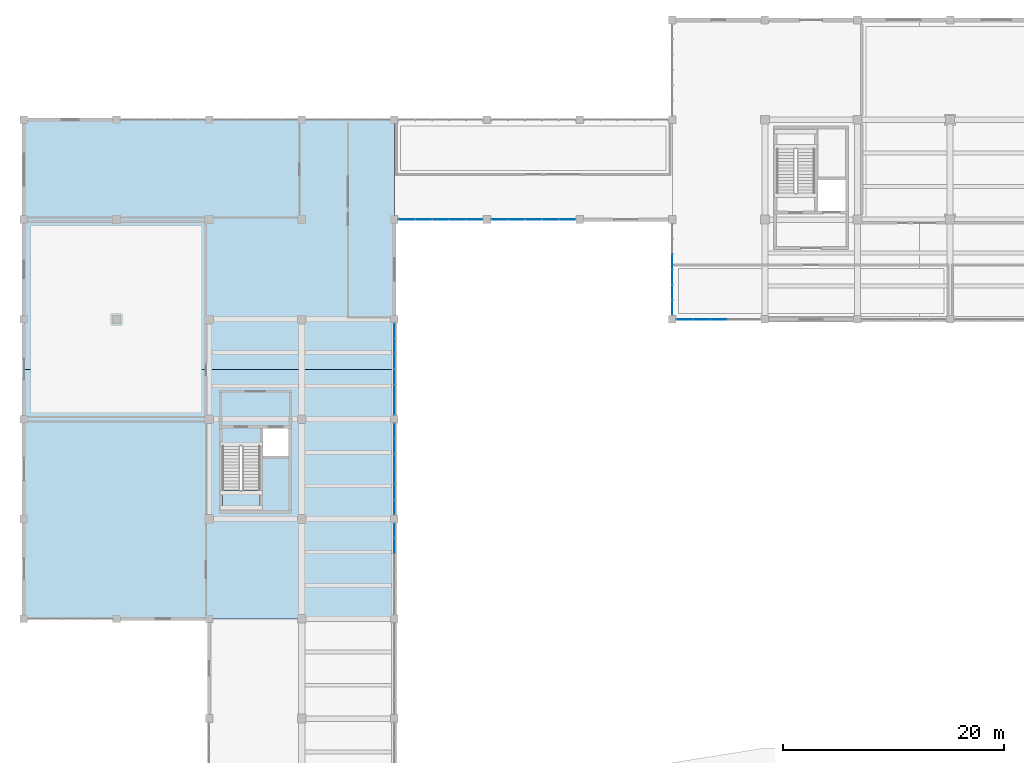
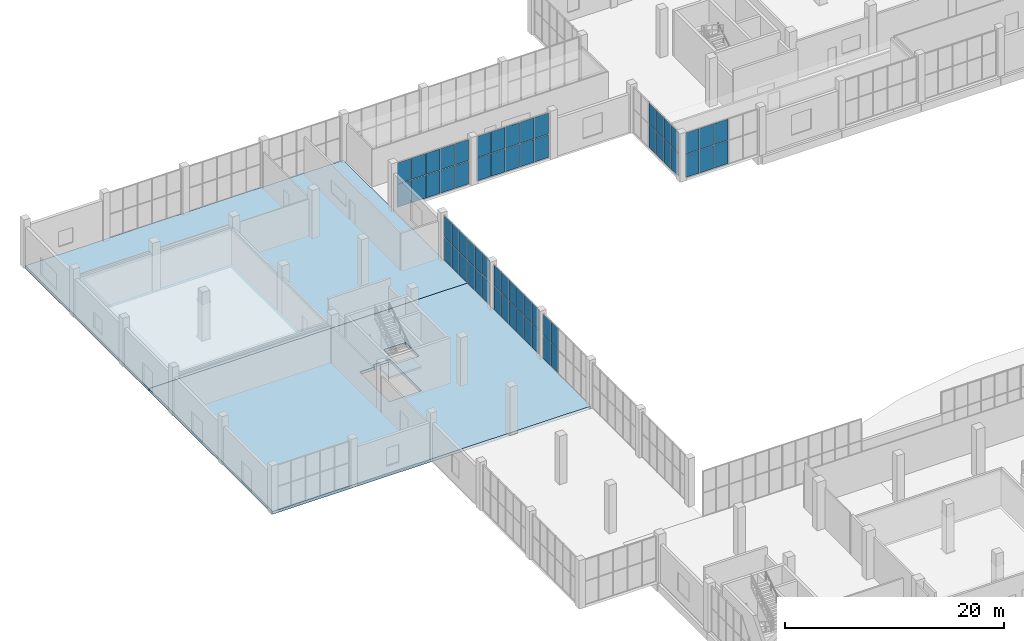
# One storey, part 67 of 91: 62 plates, 3 slabs, 8 elements without a shape of their own.
"""IFC4 building model written with IfcOpenShell, lengths in metres."""

import ifcopenshell
import ifcopenshell.guid

model = None  # the IFC model being written
_history = None  # IfcOwnerHistory: only IFC2X3 demands one
_inside = {}  # id of a spatial element -> (the spatial element, [elements in it])
_under = {}  # id of a project, library or spatial element -> (it, [spatial elements below it])
_declared = {}  # id of a project -> (the project, [libraries it declares])
_typed = {}  # id of a type object -> (the type object, [elements of that type])
_made_of = {}  # id of a material, layer set ... -> (it, [elements and type objects made of it])


def new_model(schema):
    """Start an empty IFC model of exactly this schema.

    Asked for "IFC4X3", IfcOpenShell would pick the latest addendum, in which some entities
    have other attributes; the version numbers below select the first issue.
    IFC2X3 requires an IfcOwnerHistory on every rooted entity: one is made here for all.
    """
    global model, _history
    if schema == "IFC4X3":
        model = ifcopenshell.file(schema_version=(4, 3, 0, 0))
    else:
        model = ifcopenshell.file(schema=schema)
    _inside.clear()
    _under.clear()
    _declared.clear()
    _typed.clear()
    _made_of.clear()
    _history = None
    if model.schema == "IFC2X3":
        org = make("IfcOrganization", Name="unknown")
        user = make(
            "IfcPersonAndOrganization",
            ThePerson=make("IfcPerson", FamilyName="unknown"),
            TheOrganization=org,
        )
        app = make(
            "IfcApplication",
            ApplicationDeveloper=org,
            Version="unknown",
            ApplicationFullName="unknown",
            ApplicationIdentifier="unknown",
        )
        _history = make(
            "IfcOwnerHistory",
            OwningUser=user,
            OwningApplication=app,
            ChangeAction="ADDED",
            CreationDate=0,
        )
    return model


def make(cls, **values):
    """One entity of the class cls with the attributes given. An attribute that is None is left unset."""
    return model.create_entity(
        cls, **{name: value for name, value in values.items() if value is not None}
    )


def rooted(cls, **values):
    """An entity with a GlobalId (a new one), such as an element, a storey or a relation."""
    return make(cls, GlobalId=ifcopenshell.guid.new(), OwnerHistory=_history, **values)


def si_unit(unit_type, name, prefix=None):
    """IfcSIUnit, for example si_unit("LENGTHUNIT", "METRE", prefix="MILLI")."""
    return make("IfcSIUnit", UnitType=unit_type, Prefix=prefix, Name=name)


def assignment(units):
    """IfcUnitAssignment: the units of a project."""
    return None if units is None else make("IfcUnitAssignment", Units=units)


def point(xyz):
    """IfcCartesianPoint."""
    return None if xyz is None else make("IfcCartesianPoint", Coordinates=xyz)


def direction(xyz):
    """IfcDirection."""
    return None if xyz is None else make("IfcDirection", DirectionRatios=xyz)


def frame(location, z_axis=None, x_axis=None):
    """IfcAxis2Placement3D, a coordinate frame: its origin and axes. An axis left out is left unset."""
    return make(
        "IfcAxis2Placement3D",
        Location=point(location),
        Axis=direction(z_axis),
        RefDirection=direction(x_axis),
    )


def frame_2d(location, x_axis=None):
    """IfcAxis2Placement2D, a coordinate frame in the plane: its origin and x axis."""
    return make(
        "IfcAxis2Placement2D", Location=point(location), RefDirection=direction(x_axis)
    )


def origin():
    """The frame at (0, 0, 0) with its axes left unset."""
    return frame((0.0, 0.0, 0.0))


def origin_2d():
    """The frame at (0, 0) in the plane with its x axis left unset."""
    return frame_2d((0.0, 0.0))


def place(relative_to, where):
    """IfcLocalPlacement: puts the frame where relative to a parent placement (None: the world)."""
    return make(
        "IfcLocalPlacement", PlacementRelTo=relative_to, RelativePlacement=where
    )


def context(
    kind, dimensions, precision=None, world=None, true_north=None, identifier=None
):
    """IfcGeometricRepresentationContext, for example the 3D "Model" context."""
    return make(
        "IfcGeometricRepresentationContext",
        ContextIdentifier=identifier,
        ContextType=kind,
        CoordinateSpaceDimension=dimensions,
        Precision=precision,
        WorldCoordinateSystem=world,
        TrueNorth=true_north,
    )


def subcontext(parent, identifier, kind, view, scale=None):
    """IfcGeometricRepresentationSubContext, for example "Body" below "Model"."""
    return make(
        "IfcGeometricRepresentationSubContext",
        ContextIdentifier=identifier,
        ContextType=kind,
        ParentContext=parent,
        TargetScale=scale,
        TargetView=view,
    )


def project(units=None, contexts=None):
    """IfcProject with its units and contexts."""
    return rooted(
        "IfcProject",
        Name="project",
        RepresentationContexts=contexts,
        UnitsInContext=assignment(units),
    )


def spatial(cls, under=None, at=None, **own):
    """A site, building, storey or space (cls), placed at a placement, below another one or the project."""
    s = rooted(cls, ObjectPlacement=at, **own)
    if under is not None:
        _under.setdefault(under.id(), (under, []))[1].append(s)
    return s


def polyline(points):
    """IfcPolyline through the points."""
    return make("IfcPolyline", Points=[point(p) for p in points])


def profile(cls, at=None, kind="AREA", **sizes):
    """A parametric profile (cls). Its sizes go by their IFC names, for example OverallWidth=200.0."""
    return make(cls, ProfileType=kind, Position=at, **sizes)


def rectangle(**sizes):
    """IfcRectangleProfileDef."""
    return profile("IfcRectangleProfileDef", **sizes)


def outline(outer, holes=None, kind="AREA"):
    """IfcArbitraryClosedProfileDef: a profile drawn as a closed curve; with holes, ...WithVoids."""
    if holes is None:
        return make("IfcArbitraryClosedProfileDef", ProfileType=kind, OuterCurve=outer)
    return make(
        "IfcArbitraryProfileDefWithVoids",
        ProfileType=kind,
        OuterCurve=outer,
        InnerCurves=holes,
    )


def extrude(swept, where, along, depth):
    """IfcExtrudedAreaSolid: the profile swept, set in the frame where, extruded along a direction by depth."""
    return make(
        "IfcExtrudedAreaSolid",
        SweptArea=swept,
        Position=where,
        ExtrudedDirection=direction(along),
        Depth=depth,
    )


def shape(context_of_items, identifier, shape_type, items):
    """IfcShapeRepresentation: the items that make up one representation, for example the "Body"."""
    return make(
        "IfcShapeRepresentation",
        ContextOfItems=context_of_items,
        RepresentationIdentifier=identifier,
        RepresentationType=shape_type,
        Items=items,
    )


def material(Name=None, Category=None):
    """IfcMaterial."""
    return make("IfcMaterial", Name=Name, Category=Category)


def layer(
    of_material, thickness, ventilated=None, Name=None, Category=None, Priority=None
):
    """IfcMaterialLayer: one layer of a wall or slab, of a material (None: an air gap)."""
    return make(
        "IfcMaterialLayer",
        Material=of_material,
        LayerThickness=thickness,
        IsVentilated=ventilated,
        Name=Name,
        Category=Category,
        Priority=Priority,
    )


def layer_set(layers, Name=None):
    """IfcMaterialLayerSet."""
    return make("IfcMaterialLayerSet", MaterialLayers=layers, LayerSetName=Name)


def made_of(thing, what):
    """Note that an element or type object is made of a material, layer set ...; save() writes the relation."""
    if what is not None:
        _made_of.setdefault(what.id(), (what, []))[1].append(thing)
    return thing


def type_object(cls, material=None, **own):
    """A type object (cls), such as IfcWallType, which elements share."""
    return made_of(rooted(cls, **own), material)


def element(
    cls,
    number,
    at=None,
    inside=None,
    cuts=None,
    type_object=None,
    material=None,
    context=None,
    identifier="Body",
    shape_type=None,
    held_by="IfcProductDefinitionShape",
    body=None,
    shapes=None,
    **own,
):
    """One element of the class cls, such as IfcWall. Its Tag is "e" and its number.

    at: its placement. inside: the storey or other place that contains it. cuts: it is an
    opening in that element (IfcRelVoidsElement). A single representation is given by context,
    identifier, shape_type and body (its items); several are given by shapes. held_by: the class
    of the entity that holds the representations. save() writes the other relations.
    """
    e = rooted(cls, Tag="e%d" % number, ObjectPlacement=at, **own)
    if body is not None:
        shapes = [shape(context, identifier, shape_type, body)]
    if shapes is not None:
        e.Representation = make(held_by, Representations=shapes)
    if inside is not None:
        _inside.setdefault(inside.id(), (inside, []))[1].append(e)
    if cuts is not None:
        rooted(
            "IfcRelVoidsElement", RelatingBuildingElement=cuts, RelatedOpeningElement=e
        )
    if type_object is not None:
        _typed.setdefault(type_object.id(), (type_object, []))[1].append(e)
    return made_of(e, material)


def aggregate(whole, parts):
    """IfcRelAggregates: a whole, such as a stair, and the parts it consists of."""
    return rooted("IfcRelAggregates", RelatingObject=whole, RelatedObjects=parts)


def save(model, path):
    """Write the relations noted so far, then the file.

    IfcRelAggregates (storeys below a building ...), IfcRelContainedInSpatialStructure (elements
    in a storey), IfcRelDefinesByType, IfcRelAssociatesMaterial and IfcRelDeclares: one each for
    every whole, place, type object, material and project.
    """
    for whole, parts in _under.values():
        aggregate(whole, parts)
    for where, things in _inside.values():
        rooted(
            "IfcRelContainedInSpatialStructure",
            RelatedElements=things,
            RelatingStructure=where,
        )
    for kind, things in _typed.values():
        rooted("IfcRelDefinesByType", RelatedObjects=things, RelatingType=kind)
    for what, things in _made_of.values():
        rooted("IfcRelAssociatesMaterial", RelatedObjects=things, RelatingMaterial=what)
    for by, libraries in _declared.values():
        rooted("IfcRelDeclares", RelatingContext=by, RelatedDefinitions=libraries)
    model.write(path)


model = new_model("IFC4")

# Units and contexts
model_context = context("Model", 3, precision=1e-05, world=origin(), true_north=direction((0.0, 1.0)))
body_context = subcontext(model_context, "Body", "Model", "MODEL_VIEW")
ifc_project = project(units=[si_unit("LENGTHUNIT", "METRE"), si_unit("AREAUNIT", "SQUARE_METRE"), si_unit("VOLUMEUNIT", "CUBIC_METRE"), si_unit("PLANEANGLEUNIT", "RADIAN"), si_unit("MASSUNIT", "GRAM", prefix="KILO")], contexts=[model_context])

# Site, building, storey
site_placement = place(None, origin())
site = spatial("IfcSite", under=ifc_project, at=site_placement, CompositionType="ELEMENT")
building_placement = place(site_placement, origin())
building = spatial("IfcBuilding", under=site, at=building_placement, Name="Khurvash Pelagic Aquarium", CompositionType="ELEMENT")
storey_placement = place(building_placement, origin())
storey = spatial("IfcBuildingStorey", under=building, at=storey_placement, Name="L00", CompositionType="ELEMENT", Elevation=0.0)

# Curtain wall, plates
ifc_material_1 = material(Name="Anodised aluminium and low-E laminated glass", Category="aluminium")
curtain_wall_type_1 = type_object("IfcCurtainWallType", Name="CW-02", PredefinedType="USERDEFINED", material=ifc_material_1)
curtain_wall_1_placement = place(storey_placement, origin())
curtain_wall_1 = element("IfcCurtainWall", 1, at=curtain_wall_1_placement, inside=storey, type_object=curtain_wall_type_1, Name="L00 Facade Unitised Curtain Wall CW-02 0080", ObjectType="UNITISED CURTAIN WALL", PredefinedType="USERDEFINED")
ifc_material_2 = material(Name="Low-E laminated double glazing", Category="glass")
ifc_layer_1 = layer(ifc_material_2, 0.031982421875)
ifc_layer_set_1 = layer_set([ifc_layer_1], Name="Low-E laminated double glazing")
plate_type_1 = type_object("IfcPlateType", Name="CG-02", PredefinedType="CURTAIN_PANEL", material=ifc_layer_set_1)
plate_1_placement = place(storey_placement, frame((34.739013671875, 93.10009765625, 0.06005859375), z_axis=(0.0, 0.0, 1.0), x_axis=(1.0, 0.0, 0.0)))
plate_1 = element("IfcPlate", 2, at=plate_1_placement, type_object=plate_type_1, Name="CW-02 panel 1.1", PredefinedType="CURTAIN_PANEL", context=body_context, shape_type="SweptSolid", body=[
    extrude(rectangle(XDim=1.447998046875, YDim=0.031982421875, at=origin_2d()), origin(), (0.0, 0.0, 1.0), 2.556884765625),
])
plate_2_placement = place(storey_placement, frame((34.739013671875, 93.10009765625, 2.677001953125), z_axis=(0.0, 0.0, 1.0), x_axis=(1.0, 0.0, 0.0)))
plate_2 = element("IfcPlate", 3, at=plate_2_placement, type_object=plate_type_1, Name="CW-02 panel 1.2", PredefinedType="CURTAIN_PANEL", context=body_context, shape_type="SweptSolid", body=[
    extrude(rectangle(XDim=1.447998046875, YDim=0.031982421875, at=origin_2d()), origin(), (0.0, 0.0, 1.0), 2.35302734375),
])
plate_3_placement = place(storey_placement, frame((36.261962890625, 93.10009765625, 0.06005859375), z_axis=(0.0, 0.0, 1.0), x_axis=(1.0, 0.0, 0.0)))
plate_3 = element("IfcPlate", 4, at=plate_3_placement, type_object=plate_type_1, Name="CW-02 panel 2.1", PredefinedType="CURTAIN_PANEL", context=body_context, shape_type="SweptSolid", body=[
    extrude(rectangle(XDim=1.47802734375, YDim=0.031982421875, at=origin_2d()), origin(), (0.0, 0.0, 1.0), 2.556884765625),
])
plate_4_placement = place(storey_placement, frame((36.261962890625, 93.10009765625, 2.677001953125), z_axis=(0.0, 0.0, 1.0), x_axis=(1.0, 0.0, 0.0)))
plate_4 = element("IfcPlate", 5, at=plate_4_placement, type_object=plate_type_1, Name="CW-02 panel 2.2", PredefinedType="CURTAIN_PANEL", context=body_context, shape_type="SweptSolid", body=[
    extrude(rectangle(XDim=1.47802734375, YDim=0.031982421875, at=origin_2d()), origin(), (0.0, 0.0, 1.0), 2.35302734375),
])
plate_5_placement = place(storey_placement, frame((37.800048828125, 93.10009765625, 0.06005859375), z_axis=(0.0, 0.0, 1.0), x_axis=(1.0, 0.0, 0.0)))
plate_5 = element("IfcPlate", 6, at=plate_5_placement, type_object=plate_type_1, Name="CW-02 panel 3.1", PredefinedType="CURTAIN_PANEL", context=body_context, shape_type="SweptSolid", body=[
    extrude(rectangle(XDim=1.47802734375, YDim=0.031982421875, at=origin_2d()), origin(), (0.0, 0.0, 1.0), 2.556884765625),
])
plate_6_placement = place(storey_placement, frame((37.800048828125, 93.10009765625, 2.677001953125), z_axis=(0.0, 0.0, 1.0), x_axis=(1.0, 0.0, 0.0)))
plate_6 = element("IfcPlate", 7, at=plate_6_placement, type_object=plate_type_1, Name="CW-02 panel 3.2", PredefinedType="CURTAIN_PANEL", context=body_context, shape_type="SweptSolid", body=[
    extrude(rectangle(XDim=1.47802734375, YDim=0.031982421875, at=origin_2d()), origin(), (0.0, 0.0, 1.0), 2.35302734375),
])
plate_7_placement = place(storey_placement, frame((39.337890625, 93.10009765625, 0.06005859375), z_axis=(0.0, 0.0, 1.0), x_axis=(1.0, 0.0, 0.0)))
plate_7 = element("IfcPlate", 8, at=plate_7_placement, type_object=plate_type_1, Name="CW-02 panel 4.1", PredefinedType="CURTAIN_PANEL", context=body_context, shape_type="SweptSolid", body=[
    extrude(rectangle(XDim=1.47802734375, YDim=0.031982421875, at=origin_2d()), origin(), (0.0, 0.0, 1.0), 2.556884765625),
])
plate_8_placement = place(storey_placement, frame((39.337890625, 93.10009765625, 2.677001953125), z_axis=(0.0, 0.0, 1.0), x_axis=(1.0, 0.0, 0.0)))
plate_8 = element("IfcPlate", 9, at=plate_8_placement, type_object=plate_type_1, Name="CW-02 panel 4.2", PredefinedType="CURTAIN_PANEL", context=body_context, shape_type="SweptSolid", body=[
    extrude(rectangle(XDim=1.47802734375, YDim=0.031982421875, at=origin_2d()), origin(), (0.0, 0.0, 1.0), 2.35302734375),
])
plate_9_placement = place(storey_placement, frame((40.861083984375, 93.10009765625, 0.06005859375), z_axis=(0.0, 0.0, 1.0), x_axis=(1.0, 0.0, 0.0)))
plate_9 = element("IfcPlate", 10, at=plate_9_placement, type_object=plate_type_1, Name="CW-02 panel 5.1", PredefinedType="CURTAIN_PANEL", context=body_context, shape_type="SweptSolid", body=[
    extrude(rectangle(XDim=1.447998046875, YDim=0.031982421875, at=origin_2d()), origin(), (0.0, 0.0, 1.0), 2.556884765625),
])
plate_10_placement = place(storey_placement, frame((40.861083984375, 93.10009765625, 2.677001953125), z_axis=(0.0, 0.0, 1.0), x_axis=(1.0, 0.0, 0.0)))
plate_10 = element("IfcPlate", 11, at=plate_10_placement, type_object=plate_type_1, Name="CW-02 panel 5.2", PredefinedType="CURTAIN_PANEL", context=body_context, shape_type="SweptSolid", body=[
    extrude(rectangle(XDim=1.447998046875, YDim=0.031982421875, at=origin_2d()), origin(), (0.0, 0.0, 1.0), 2.35302734375),
])
aggregate(curtain_wall_1, [plate_1, plate_2, plate_3, plate_4, plate_5, plate_6, plate_7, plate_8, plate_9, plate_10])

curtain_wall_2_placement = place(storey_placement, origin())
curtain_wall_2 = element("IfcCurtainWall", 12, at=curtain_wall_2_placement, inside=storey, type_object=curtain_wall_type_1, Name="L00 Facade Unitised Curtain Wall CW-02 0081", ObjectType="UNITISED CURTAIN WALL", PredefinedType="USERDEFINED")
plate_11_placement = place(storey_placement, frame((43.138916015625, 93.10009765625, 0.06005859375), z_axis=(0.0, 0.0, 1.0), x_axis=(1.0, 0.0, 0.0)))
plate_11 = element("IfcPlate", 13, at=plate_11_placement, type_object=plate_type_1, Name="CW-02 panel 1.1", PredefinedType="CURTAIN_PANEL", context=body_context, shape_type="SweptSolid", body=[
    extrude(rectangle(XDim=1.447998046875, YDim=0.031982421875, at=origin_2d()), origin(), (0.0, 0.0, 1.0), 2.556884765625),
])
plate_12_placement = place(storey_placement, frame((43.138916015625, 93.10009765625, 2.677001953125), z_axis=(0.0, 0.0, 1.0), x_axis=(1.0, 0.0, 0.0)))
plate_12 = element("IfcPlate", 14, at=plate_12_placement, type_object=plate_type_1, Name="CW-02 panel 1.2", PredefinedType="CURTAIN_PANEL", context=body_context, shape_type="SweptSolid", body=[
    extrude(rectangle(XDim=1.447998046875, YDim=0.031982421875, at=origin_2d()), origin(), (0.0, 0.0, 1.0), 2.35302734375),
])
plate_13_placement = place(storey_placement, frame((44.662109375, 93.10009765625, 0.06005859375), z_axis=(0.0, 0.0, 1.0), x_axis=(1.0, 0.0, 0.0)))
plate_13 = element("IfcPlate", 15, at=plate_13_placement, type_object=plate_type_1, Name="CW-02 panel 2.1", PredefinedType="CURTAIN_PANEL", context=body_context, shape_type="SweptSolid", body=[
    extrude(rectangle(XDim=1.47802734375, YDim=0.031982421875, at=origin_2d()), origin(), (0.0, 0.0, 1.0), 2.556884765625),
])
plate_14_placement = place(storey_placement, frame((44.662109375, 93.10009765625, 2.677001953125), z_axis=(0.0, 0.0, 1.0), x_axis=(1.0, 0.0, 0.0)))
plate_14 = element("IfcPlate", 16, at=plate_14_placement, type_object=plate_type_1, Name="CW-02 panel 2.2", PredefinedType="CURTAIN_PANEL", context=body_context, shape_type="SweptSolid", body=[
    extrude(rectangle(XDim=1.47802734375, YDim=0.031982421875, at=origin_2d()), origin(), (0.0, 0.0, 1.0), 2.35302734375),
])
plate_15_placement = place(storey_placement, frame((46.199951171875, 93.10009765625, 0.06005859375), z_axis=(0.0, 0.0, 1.0), x_axis=(1.0, 0.0, 0.0)))
plate_15 = element("IfcPlate", 17, at=plate_15_placement, type_object=plate_type_1, Name="CW-02 panel 3.1", PredefinedType="CURTAIN_PANEL", context=body_context, shape_type="SweptSolid", body=[
    extrude(rectangle(XDim=1.47802734375, YDim=0.031982421875, at=origin_2d()), origin(), (0.0, 0.0, 1.0), 2.556884765625),
])
plate_16_placement = place(storey_placement, frame((46.199951171875, 93.10009765625, 2.677001953125), z_axis=(0.0, 0.0, 1.0), x_axis=(1.0, 0.0, 0.0)))
plate_16 = element("IfcPlate", 18, at=plate_16_placement, type_object=plate_type_1, Name="CW-02 panel 3.2", PredefinedType="CURTAIN_PANEL", context=body_context, shape_type="SweptSolid", body=[
    extrude(rectangle(XDim=1.47802734375, YDim=0.031982421875, at=origin_2d()), origin(), (0.0, 0.0, 1.0), 2.35302734375),
])
plate_17_placement = place(storey_placement, frame((47.738037109375, 93.10009765625, 0.06005859375), z_axis=(0.0, 0.0, 1.0), x_axis=(1.0, 0.0, 0.0)))
plate_17 = element("IfcPlate", 19, at=plate_17_placement, type_object=plate_type_1, Name="CW-02 panel 4.1", PredefinedType="CURTAIN_PANEL", context=body_context, shape_type="SweptSolid", body=[
    extrude(rectangle(XDim=1.47802734375, YDim=0.031982421875, at=origin_2d()), origin(), (0.0, 0.0, 1.0), 2.556884765625),
])
plate_18_placement = place(storey_placement, frame((47.738037109375, 93.10009765625, 2.677001953125), z_axis=(0.0, 0.0, 1.0), x_axis=(1.0, 0.0, 0.0)))
plate_18 = element("IfcPlate", 20, at=plate_18_placement, type_object=plate_type_1, Name="CW-02 panel 4.2", PredefinedType="CURTAIN_PANEL", context=body_context, shape_type="SweptSolid", body=[
    extrude(rectangle(XDim=1.47802734375, YDim=0.031982421875, at=origin_2d()), origin(), (0.0, 0.0, 1.0), 2.35302734375),
])
plate_19_placement = place(storey_placement, frame((49.260986328125, 93.10009765625, 0.06005859375), z_axis=(0.0, 0.0, 1.0), x_axis=(1.0, 0.0, 0.0)))
plate_19 = element("IfcPlate", 21, at=plate_19_placement, type_object=plate_type_1, Name="CW-02 panel 5.1", PredefinedType="CURTAIN_PANEL", context=body_context, shape_type="SweptSolid", body=[
    extrude(rectangle(XDim=1.447998046875, YDim=0.031982421875, at=origin_2d()), origin(), (0.0, 0.0, 1.0), 2.556884765625),
])
plate_20_placement = place(storey_placement, frame((49.260986328125, 93.10009765625, 2.677001953125), z_axis=(0.0, 0.0, 1.0), x_axis=(1.0, 0.0, 0.0)))
plate_20 = element("IfcPlate", 22, at=plate_20_placement, type_object=plate_type_1, Name="CW-02 panel 5.2", PredefinedType="CURTAIN_PANEL", context=body_context, shape_type="SweptSolid", body=[
    extrude(rectangle(XDim=1.447998046875, YDim=0.031982421875, at=origin_2d()), origin(), (0.0, 0.0, 1.0), 2.35302734375),
])
aggregate(curtain_wall_2, [plate_11, plate_12, plate_13, plate_14, plate_15, plate_16, plate_17, plate_18, plate_19, plate_20])

curtain_wall_3_placement = place(storey_placement, origin())
curtain_wall_3 = element("IfcCurtainWall", 23, at=curtain_wall_3_placement, inside=storey, type_object=curtain_wall_type_1, Name="L00 Facade Unitised Curtain Wall CW-02 0083", ObjectType="UNITISED CURTAIN WALL", PredefinedType="USERDEFINED")
plate_21_placement = place(storey_placement, frame((59.93896484375, 84.050048828125, 0.06005859375), z_axis=(0.0, 0.0, 1.0), x_axis=(1.0, 0.0, 0.0)))
plate_21 = element("IfcPlate", 24, at=plate_21_placement, type_object=plate_type_1, Name="CW-02 panel 1.1", PredefinedType="CURTAIN_PANEL", context=body_context, shape_type="SweptSolid", body=[
    extrude(rectangle(XDim=1.447998046875, YDim=0.031982421875, at=origin_2d()), origin(), (0.0, 0.0, 1.0), 2.556884765625),
])
plate_22_placement = place(storey_placement, frame((59.93896484375, 84.050048828125, 2.677001953125), z_axis=(0.0, 0.0, 1.0), x_axis=(1.0, 0.0, 0.0)))
plate_22 = element("IfcPlate", 25, at=plate_22_placement, type_object=plate_type_1, Name="CW-02 panel 1.2", PredefinedType="CURTAIN_PANEL", context=body_context, shape_type="SweptSolid", body=[
    extrude(rectangle(XDim=1.447998046875, YDim=0.031982421875, at=origin_2d()), origin(), (0.0, 0.0, 1.0), 2.35302734375),
])
plate_23_placement = place(storey_placement, frame((61.4619140625, 84.050048828125, 0.06005859375), z_axis=(0.0, 0.0, 1.0), x_axis=(1.0, 0.0, 0.0)))
plate_23 = element("IfcPlate", 26, at=plate_23_placement, type_object=plate_type_1, Name="CW-02 panel 2.1", PredefinedType="CURTAIN_PANEL", context=body_context, shape_type="SweptSolid", body=[
    extrude(rectangle(XDim=1.47802734375, YDim=0.031982421875, at=origin_2d()), origin(), (0.0, 0.0, 1.0), 2.556884765625),
])
plate_24_placement = place(storey_placement, frame((61.4619140625, 84.050048828125, 2.677001953125), z_axis=(0.0, 0.0, 1.0), x_axis=(1.0, 0.0, 0.0)))
plate_24 = element("IfcPlate", 27, at=plate_24_placement, type_object=plate_type_1, Name="CW-02 panel 2.2", PredefinedType="CURTAIN_PANEL", context=body_context, shape_type="SweptSolid", body=[
    extrude(rectangle(XDim=1.47802734375, YDim=0.031982421875, at=origin_2d()), origin(), (0.0, 0.0, 1.0), 2.35302734375),
])
plate_25_placement = place(storey_placement, frame((63.0, 84.050048828125, 0.06005859375), z_axis=(0.0, 0.0, 1.0), x_axis=(1.0, 0.0, 0.0)))
plate_25 = element("IfcPlate", 28, at=plate_25_placement, type_object=plate_type_1, Name="CW-02 panel 3.1", PredefinedType="CURTAIN_PANEL", context=body_context, shape_type="SweptSolid", body=[
    extrude(rectangle(XDim=1.47802734375, YDim=0.031982421875, at=origin_2d()), origin(), (0.0, 0.0, 1.0), 2.556884765625),
])
plate_26_placement = place(storey_placement, frame((63.0, 84.050048828125, 2.677001953125), z_axis=(0.0, 0.0, 1.0), x_axis=(1.0, 0.0, 0.0)))
plate_26 = element("IfcPlate", 29, at=plate_26_placement, type_object=plate_type_1, Name="CW-02 panel 3.2", PredefinedType="CURTAIN_PANEL", context=body_context, shape_type="SweptSolid", body=[
    extrude(rectangle(XDim=1.47802734375, YDim=0.031982421875, at=origin_2d()), origin(), (0.0, 0.0, 1.0), 2.35302734375),
])
aggregate(curtain_wall_3, [plate_21, plate_22, plate_23, plate_24, plate_25, plate_26])

curtain_wall_type_2 = type_object("IfcCurtainWallType", Name="CW-05", PredefinedType="USERDEFINED", material=ifc_material_1)
curtain_wall_4_placement = place(storey_placement, origin())
curtain_wall_4 = element("IfcCurtainWall", 30, at=curtain_wall_4_placement, inside=storey, type_object=curtain_wall_type_2, Name="L00 Facade Unitised Curtain Wall CW-05 0077", ObjectType="UNITISED CURTAIN WALL", PredefinedType="USERDEFINED")
ifc_layer_2 = layer(ifc_material_2, 0.033935546875)
ifc_layer_set_2 = layer_set([ifc_layer_2], Name="Low-E laminated double glazing")
plate_type_2 = type_object("IfcPlateType", Name="CG-05", PredefinedType="CURTAIN_PANEL", material=ifc_layer_set_2)
plate_27_placement = place(storey_placement, frame((33.60009765625, 63.510009765625, 0.06005859375), z_axis=(0.0, 0.0, 1.0), x_axis=(0.0, 1.0, 0.0)))
plate_27 = element("IfcPlate", 31, at=plate_27_placement, type_object=plate_type_2, Name="CW-05 panel 5.1", PredefinedType="CURTAIN_PANEL", context=body_context, shape_type="SweptSolid", body=[
    extrude(rectangle(XDim=1.330078125, YDim=0.033935546875, at=origin_2d()), origin(), (0.0, 0.0, 1.0), 2.556884765625),
])
plate_28_placement = place(storey_placement, frame((33.60009765625, 63.510009765625, 2.677001953125), z_axis=(0.0, 0.0, 1.0), x_axis=(0.0, 1.0, 0.0)))
plate_28 = element("IfcPlate", 32, at=plate_28_placement, type_object=plate_type_2, Name="CW-05 panel 5.2", PredefinedType="CURTAIN_PANEL", context=body_context, shape_type="SweptSolid", body=[
    extrude(rectangle(XDim=1.330078125, YDim=0.033935546875, at=origin_2d()), origin(), (0.0, 0.0, 1.0), 2.35302734375),
])
plate_29_placement = place(storey_placement, frame((33.60009765625, 64.885009765625, 0.06005859375), z_axis=(0.0, 0.0, 1.0), x_axis=(0.0, 1.0, 0.0)))
plate_29 = element("IfcPlate", 33, at=plate_29_placement, type_object=plate_type_2, Name="CW-05 panel 6.1", PredefinedType="CURTAIN_PANEL", context=body_context, shape_type="SweptSolid", body=[
    extrude(rectangle(XDim=1.300048828125, YDim=0.033935546875, at=origin_2d()), origin(), (0.0, 0.0, 1.0), 2.556884765625),
])
plate_30_placement = place(storey_placement, frame((33.60009765625, 64.885009765625, 2.677001953125), z_axis=(0.0, 0.0, 1.0), x_axis=(0.0, 1.0, 0.0)))
plate_30 = element("IfcPlate", 34, at=plate_30_placement, type_object=plate_type_2, Name="CW-05 panel 6.2", PredefinedType="CURTAIN_PANEL", context=body_context, shape_type="SweptSolid", body=[
    extrude(rectangle(XDim=1.300048828125, YDim=0.033935546875, at=origin_2d()), origin(), (0.0, 0.0, 1.0), 2.35302734375),
])
aggregate(curtain_wall_4, [plate_27, plate_28, plate_29, plate_30])

curtain_wall_5_placement = place(storey_placement, origin())
curtain_wall_5 = element("IfcCurtainWall", 35, at=curtain_wall_5_placement, inside=storey, type_object=curtain_wall_type_2, Name="L00 Facade Unitised Curtain Wall CW-05 0078", ObjectType="UNITISED CURTAIN WALL", PredefinedType="USERDEFINED")
plate_31_placement = place(storey_placement, frame((33.60009765625, 67.014892578125, 0.06005859375), z_axis=(0.0, 0.0, 1.0), x_axis=(0.0, 1.0, 0.0)))
plate_31 = element("IfcPlate", 36, at=plate_31_placement, type_object=plate_type_2, Name="CW-05 panel 1.1", PredefinedType="CURTAIN_PANEL", context=body_context, shape_type="SweptSolid", body=[
    extrude(rectangle(XDim=1.300048828125, YDim=0.033935546875, at=origin_2d()), origin(), (0.0, 0.0, 1.0), 2.556884765625),
])
plate_32_placement = place(storey_placement, frame((33.60009765625, 67.014892578125, 2.677001953125), z_axis=(0.0, 0.0, 1.0), x_axis=(0.0, 1.0, 0.0)))
plate_32 = element("IfcPlate", 37, at=plate_32_placement, type_object=plate_type_2, Name="CW-05 panel 1.2", PredefinedType="CURTAIN_PANEL", context=body_context, shape_type="SweptSolid", body=[
    extrude(rectangle(XDim=1.300048828125, YDim=0.033935546875, at=origin_2d()), origin(), (0.0, 0.0, 1.0), 2.35302734375),
])
plate_33_placement = place(storey_placement, frame((33.60009765625, 68.389892578125, 0.06005859375), z_axis=(0.0, 0.0, 1.0), x_axis=(0.0, 1.0, 0.0)))
plate_33 = element("IfcPlate", 38, at=plate_33_placement, type_object=plate_type_2, Name="CW-05 panel 2.1", PredefinedType="CURTAIN_PANEL", context=body_context, shape_type="SweptSolid", body=[
    extrude(rectangle(XDim=1.330078125, YDim=0.033935546875, at=origin_2d()), origin(), (0.0, 0.0, 1.0), 2.556884765625),
])
plate_34_placement = place(storey_placement, frame((33.60009765625, 68.389892578125, 2.677001953125), z_axis=(0.0, 0.0, 1.0), x_axis=(0.0, 1.0, 0.0)))
plate_34 = element("IfcPlate", 39, at=plate_34_placement, type_object=plate_type_2, Name="CW-05 panel 2.2", PredefinedType="CURTAIN_PANEL", context=body_context, shape_type="SweptSolid", body=[
    extrude(rectangle(XDim=1.330078125, YDim=0.033935546875, at=origin_2d()), origin(), (0.0, 0.0, 1.0), 2.35302734375),
])
plate_35_placement = place(storey_placement, frame((33.60009765625, 69.780029296875, 0.06005859375), z_axis=(0.0, 0.0, 1.0), x_axis=(0.0, 1.0, 0.0)))
plate_35 = element("IfcPlate", 40, at=plate_35_placement, type_object=plate_type_2, Name="CW-05 panel 3.1", PredefinedType="CURTAIN_PANEL", context=body_context, shape_type="SweptSolid", body=[
    extrude(rectangle(XDim=1.330078125, YDim=0.033935546875, at=origin_2d()), origin(), (0.0, 0.0, 1.0), 2.556884765625),
])
plate_36_placement = place(storey_placement, frame((33.60009765625, 69.780029296875, 2.677001953125), z_axis=(0.0, 0.0, 1.0), x_axis=(0.0, 1.0, 0.0)))
plate_36 = element("IfcPlate", 41, at=plate_36_placement, type_object=plate_type_2, Name="CW-05 panel 3.2", PredefinedType="CURTAIN_PANEL", context=body_context, shape_type="SweptSolid", body=[
    extrude(rectangle(XDim=1.330078125, YDim=0.033935546875, at=origin_2d()), origin(), (0.0, 0.0, 1.0), 2.35302734375),
])
plate_37_placement = place(storey_placement, frame((33.60009765625, 71.169921875, 0.06005859375), z_axis=(0.0, 0.0, 1.0), x_axis=(0.0, 1.0, 0.0)))
plate_37 = element("IfcPlate", 42, at=plate_37_placement, type_object=plate_type_2, Name="CW-05 panel 4.1", PredefinedType="CURTAIN_PANEL", context=body_context, shape_type="SweptSolid", body=[
    extrude(rectangle(XDim=1.330078125, YDim=0.033935546875, at=origin_2d()), origin(), (0.0, 0.0, 1.0), 2.556884765625),
])
plate_38_placement = place(storey_placement, frame((33.60009765625, 71.169921875, 2.677001953125), z_axis=(0.0, 0.0, 1.0), x_axis=(0.0, 1.0, 0.0)))
plate_38 = element("IfcPlate", 43, at=plate_38_placement, type_object=plate_type_2, Name="CW-05 panel 4.2", PredefinedType="CURTAIN_PANEL", context=body_context, shape_type="SweptSolid", body=[
    extrude(rectangle(XDim=1.330078125, YDim=0.033935546875, at=origin_2d()), origin(), (0.0, 0.0, 1.0), 2.35302734375),
])
plate_39_placement = place(storey_placement, frame((33.60009765625, 72.56005859375, 0.06005859375), z_axis=(0.0, 0.0, 1.0), x_axis=(0.0, 1.0, 0.0)))
plate_39 = element("IfcPlate", 44, at=plate_39_placement, type_object=plate_type_2, Name="CW-05 panel 5.1", PredefinedType="CURTAIN_PANEL", context=body_context, shape_type="SweptSolid", body=[
    extrude(rectangle(XDim=1.330078125, YDim=0.033935546875, at=origin_2d()), origin(), (0.0, 0.0, 1.0), 2.556884765625),
])
plate_40_placement = place(storey_placement, frame((33.60009765625, 72.56005859375, 2.677001953125), z_axis=(0.0, 0.0, 1.0), x_axis=(0.0, 1.0, 0.0)))
plate_40 = element("IfcPlate", 45, at=plate_40_placement, type_object=plate_type_2, Name="CW-05 panel 5.2", PredefinedType="CURTAIN_PANEL", context=body_context, shape_type="SweptSolid", body=[
    extrude(rectangle(XDim=1.330078125, YDim=0.033935546875, at=origin_2d()), origin(), (0.0, 0.0, 1.0), 2.35302734375),
])
plate_41_placement = place(storey_placement, frame((33.60009765625, 73.93505859375, 0.06005859375), z_axis=(0.0, 0.0, 1.0), x_axis=(0.0, 1.0, 0.0)))
plate_41 = element("IfcPlate", 46, at=plate_41_placement, type_object=plate_type_2, Name="CW-05 panel 6.1", PredefinedType="CURTAIN_PANEL", context=body_context, shape_type="SweptSolid", body=[
    extrude(rectangle(XDim=1.300048828125, YDim=0.033935546875, at=origin_2d()), origin(), (0.0, 0.0, 1.0), 2.556884765625),
])
plate_42_placement = place(storey_placement, frame((33.60009765625, 73.93505859375, 2.677001953125), z_axis=(0.0, 0.0, 1.0), x_axis=(0.0, 1.0, 0.0)))
plate_42 = element("IfcPlate", 47, at=plate_42_placement, type_object=plate_type_2, Name="CW-05 panel 6.2", PredefinedType="CURTAIN_PANEL", context=body_context, shape_type="SweptSolid", body=[
    extrude(rectangle(XDim=1.300048828125, YDim=0.033935546875, at=origin_2d()), origin(), (0.0, 0.0, 1.0), 2.35302734375),
])
aggregate(curtain_wall_5, [plate_31, plate_32, plate_33, plate_34, plate_35, plate_36, plate_37, plate_38, plate_39, plate_40, plate_41, plate_42])

curtain_wall_6_placement = place(storey_placement, origin())
curtain_wall_6 = element("IfcCurtainWall", 48, at=curtain_wall_6_placement, inside=storey, type_object=curtain_wall_type_2, Name="L00 Facade Unitised Curtain Wall CW-05 0079", ObjectType="UNITISED CURTAIN WALL", PredefinedType="USERDEFINED")
plate_43_placement = place(storey_placement, frame((33.60009765625, 76.06494140625, 0.06005859375), z_axis=(0.0, 0.0, 1.0), x_axis=(0.0, 1.0, 0.0)))
plate_43 = element("IfcPlate", 49, at=plate_43_placement, type_object=plate_type_2, Name="CW-05 panel 1.1", PredefinedType="CURTAIN_PANEL", context=body_context, shape_type="SweptSolid", body=[
    extrude(rectangle(XDim=1.300048828125, YDim=0.033935546875, at=origin_2d()), origin(), (0.0, 0.0, 1.0), 2.556884765625),
])
plate_44_placement = place(storey_placement, frame((33.60009765625, 76.06494140625, 2.677001953125), z_axis=(0.0, 0.0, 1.0), x_axis=(0.0, 1.0, 0.0)))
plate_44 = element("IfcPlate", 50, at=plate_44_placement, type_object=plate_type_2, Name="CW-05 panel 1.2", PredefinedType="CURTAIN_PANEL", context=body_context, shape_type="SweptSolid", body=[
    extrude(rectangle(XDim=1.300048828125, YDim=0.033935546875, at=origin_2d()), origin(), (0.0, 0.0, 1.0), 2.35302734375),
])
plate_45_placement = place(storey_placement, frame((33.60009765625, 77.43994140625, 0.06005859375), z_axis=(0.0, 0.0, 1.0), x_axis=(0.0, 1.0, 0.0)))
plate_45 = element("IfcPlate", 51, at=plate_45_placement, type_object=plate_type_2, Name="CW-05 panel 2.1", PredefinedType="CURTAIN_PANEL", context=body_context, shape_type="SweptSolid", body=[
    extrude(rectangle(XDim=1.330078125, YDim=0.033935546875, at=origin_2d()), origin(), (0.0, 0.0, 1.0), 2.556884765625),
])
plate_46_placement = place(storey_placement, frame((33.60009765625, 77.43994140625, 2.677001953125), z_axis=(0.0, 0.0, 1.0), x_axis=(0.0, 1.0, 0.0)))
plate_46 = element("IfcPlate", 52, at=plate_46_placement, type_object=plate_type_2, Name="CW-05 panel 2.2", PredefinedType="CURTAIN_PANEL", context=body_context, shape_type="SweptSolid", body=[
    extrude(rectangle(XDim=1.330078125, YDim=0.033935546875, at=origin_2d()), origin(), (0.0, 0.0, 1.0), 2.35302734375),
])
plate_47_placement = place(storey_placement, frame((33.60009765625, 78.830078125, 0.06005859375), z_axis=(0.0, 0.0, 1.0), x_axis=(0.0, 1.0, 0.0)))
plate_47 = element("IfcPlate", 53, at=plate_47_placement, type_object=plate_type_2, Name="CW-05 panel 3.1", PredefinedType="CURTAIN_PANEL", context=body_context, shape_type="SweptSolid", body=[
    extrude(rectangle(XDim=1.330078125, YDim=0.033935546875, at=origin_2d()), origin(), (0.0, 0.0, 1.0), 2.556884765625),
])
plate_48_placement = place(storey_placement, frame((33.60009765625, 78.830078125, 2.677001953125), z_axis=(0.0, 0.0, 1.0), x_axis=(0.0, 1.0, 0.0)))
plate_48 = element("IfcPlate", 54, at=plate_48_placement, type_object=plate_type_2, Name="CW-05 panel 3.2", PredefinedType="CURTAIN_PANEL", context=body_context, shape_type="SweptSolid", body=[
    extrude(rectangle(XDim=1.330078125, YDim=0.033935546875, at=origin_2d()), origin(), (0.0, 0.0, 1.0), 2.35302734375),
])
plate_49_placement = place(storey_placement, frame((33.60009765625, 80.219970703125, 0.06005859375), z_axis=(0.0, 0.0, 1.0), x_axis=(0.0, 1.0, 0.0)))
plate_49 = element("IfcPlate", 55, at=plate_49_placement, type_object=plate_type_2, Name="CW-05 panel 4.1", PredefinedType="CURTAIN_PANEL", context=body_context, shape_type="SweptSolid", body=[
    extrude(rectangle(XDim=1.330078125, YDim=0.033935546875, at=origin_2d()), origin(), (0.0, 0.0, 1.0), 2.556884765625),
])
plate_50_placement = place(storey_placement, frame((33.60009765625, 80.219970703125, 2.677001953125), z_axis=(0.0, 0.0, 1.0), x_axis=(0.0, 1.0, 0.0)))
plate_50 = element("IfcPlate", 56, at=plate_50_placement, type_object=plate_type_2, Name="CW-05 panel 4.2", PredefinedType="CURTAIN_PANEL", context=body_context, shape_type="SweptSolid", body=[
    extrude(rectangle(XDim=1.330078125, YDim=0.033935546875, at=origin_2d()), origin(), (0.0, 0.0, 1.0), 2.35302734375),
])
plate_51_placement = place(storey_placement, frame((33.60009765625, 81.610107421875, 0.06005859375), z_axis=(0.0, 0.0, 1.0), x_axis=(0.0, 1.0, 0.0)))
plate_51 = element("IfcPlate", 57, at=plate_51_placement, type_object=plate_type_2, Name="CW-05 panel 5.1", PredefinedType="CURTAIN_PANEL", context=body_context, shape_type="SweptSolid", body=[
    extrude(rectangle(XDim=1.330078125, YDim=0.033935546875, at=origin_2d()), origin(), (0.0, 0.0, 1.0), 2.556884765625),
])
plate_52_placement = place(storey_placement, frame((33.60009765625, 81.610107421875, 2.677001953125), z_axis=(0.0, 0.0, 1.0), x_axis=(0.0, 1.0, 0.0)))
plate_52 = element("IfcPlate", 58, at=plate_52_placement, type_object=plate_type_2, Name="CW-05 panel 5.2", PredefinedType="CURTAIN_PANEL", context=body_context, shape_type="SweptSolid", body=[
    extrude(rectangle(XDim=1.330078125, YDim=0.033935546875, at=origin_2d()), origin(), (0.0, 0.0, 1.0), 2.35302734375),
])
plate_53_placement = place(storey_placement, frame((33.60009765625, 82.985107421875, 0.06005859375), z_axis=(0.0, 0.0, 1.0), x_axis=(0.0, 1.0, 0.0)))
plate_53 = element("IfcPlate", 59, at=plate_53_placement, type_object=plate_type_2, Name="CW-05 panel 6.1", PredefinedType="CURTAIN_PANEL", context=body_context, shape_type="SweptSolid", body=[
    extrude(rectangle(XDim=1.300048828125, YDim=0.033935546875, at=origin_2d()), origin(), (0.0, 0.0, 1.0), 2.556884765625),
])
plate_54_placement = place(storey_placement, frame((33.60009765625, 82.985107421875, 2.677001953125), z_axis=(0.0, 0.0, 1.0), x_axis=(0.0, 1.0, 0.0)))
plate_54 = element("IfcPlate", 60, at=plate_54_placement, type_object=plate_type_2, Name="CW-05 panel 6.2", PredefinedType="CURTAIN_PANEL", context=body_context, shape_type="SweptSolid", body=[
    extrude(rectangle(XDim=1.300048828125, YDim=0.033935546875, at=origin_2d()), origin(), (0.0, 0.0, 1.0), 2.35302734375),
])
aggregate(curtain_wall_6, [plate_43, plate_44, plate_45, plate_46, plate_47, plate_48, plate_49, plate_50, plate_51, plate_52, plate_53, plate_54])

curtain_wall_7_placement = place(storey_placement, origin())
curtain_wall_7 = element("IfcCurtainWall", 61, at=curtain_wall_7_placement, inside=storey, type_object=curtain_wall_type_2, Name="L00 Facade Unitised Curtain Wall CW-05 0082", ObjectType="UNITISED CURTAIN WALL", PredefinedType="USERDEFINED")
plate_55_placement = place(storey_placement, frame((58.800048828125, 89.27001953125, 0.06005859375), z_axis=(0.0, 0.0, 1.0), x_axis=(0.0, -1.0, 0.0)))
plate_55 = element("IfcPlate", 62, at=plate_55_placement, type_object=plate_type_2, Name="CW-05 panel 3.1", PredefinedType="CURTAIN_PANEL", context=body_context, shape_type="SweptSolid", body=[
    extrude(rectangle(XDim=1.330078125, YDim=0.033935546875, at=origin_2d()), origin(), (0.0, 0.0, 1.0), 2.556884765625),
])
plate_56_placement = place(storey_placement, frame((58.800048828125, 89.27001953125, 2.677001953125), z_axis=(0.0, 0.0, 1.0), x_axis=(0.0, -1.0, 0.0)))
plate_56 = element("IfcPlate", 63, at=plate_56_placement, type_object=plate_type_2, Name="CW-05 panel 3.2", PredefinedType="CURTAIN_PANEL", context=body_context, shape_type="SweptSolid", body=[
    extrude(rectangle(XDim=1.330078125, YDim=0.033935546875, at=origin_2d()), origin(), (0.0, 0.0, 1.0), 2.35302734375),
])
plate_57_placement = place(storey_placement, frame((58.800048828125, 87.8798828125, 0.06005859375), z_axis=(0.0, 0.0, 1.0), x_axis=(0.0, -1.0, 0.0)))
plate_57 = element("IfcPlate", 64, at=plate_57_placement, type_object=plate_type_2, Name="CW-05 panel 4.1", PredefinedType="CURTAIN_PANEL", context=body_context, shape_type="SweptSolid", body=[
    extrude(rectangle(XDim=1.330078125, YDim=0.033935546875, at=origin_2d()), origin(), (0.0, 0.0, 1.0), 2.556884765625),
])
plate_58_placement = place(storey_placement, frame((58.800048828125, 87.8798828125, 2.677001953125), z_axis=(0.0, 0.0, 1.0), x_axis=(0.0, -1.0, 0.0)))
plate_58 = element("IfcPlate", 65, at=plate_58_placement, type_object=plate_type_2, Name="CW-05 panel 4.2", PredefinedType="CURTAIN_PANEL", context=body_context, shape_type="SweptSolid", body=[
    extrude(rectangle(XDim=1.330078125, YDim=0.033935546875, at=origin_2d()), origin(), (0.0, 0.0, 1.0), 2.35302734375),
])
plate_59_placement = place(storey_placement, frame((58.800048828125, 86.489990234375, 0.06005859375), z_axis=(0.0, 0.0, 1.0), x_axis=(0.0, -1.0, 0.0)))
plate_59 = element("IfcPlate", 66, at=plate_59_placement, type_object=plate_type_2, Name="CW-05 panel 5.1", PredefinedType="CURTAIN_PANEL", context=body_context, shape_type="SweptSolid", body=[
    extrude(rectangle(XDim=1.330078125, YDim=0.033935546875, at=origin_2d()), origin(), (0.0, 0.0, 1.0), 2.556884765625),
])
plate_60_placement = place(storey_placement, frame((58.800048828125, 86.489990234375, 2.677001953125), z_axis=(0.0, 0.0, 1.0), x_axis=(0.0, -1.0, 0.0)))
plate_60 = element("IfcPlate", 67, at=plate_60_placement, type_object=plate_type_2, Name="CW-05 panel 5.2", PredefinedType="CURTAIN_PANEL", context=body_context, shape_type="SweptSolid", body=[
    extrude(rectangle(XDim=1.330078125, YDim=0.033935546875, at=origin_2d()), origin(), (0.0, 0.0, 1.0), 2.35302734375),
])
plate_61_placement = place(storey_placement, frame((58.800048828125, 85.114990234375, 0.06005859375), z_axis=(0.0, 0.0, 1.0), x_axis=(0.0, -1.0, 0.0)))
plate_61 = element("IfcPlate", 68, at=plate_61_placement, type_object=plate_type_2, Name="CW-05 panel 6.1", PredefinedType="CURTAIN_PANEL", context=body_context, shape_type="SweptSolid", body=[
    extrude(rectangle(XDim=1.300048828125, YDim=0.033935546875, at=origin_2d()), origin(), (0.0, 0.0, 1.0), 2.556884765625),
])
plate_62_placement = place(storey_placement, frame((58.800048828125, 85.114990234375, 2.677001953125), z_axis=(0.0, 0.0, 1.0), x_axis=(0.0, -1.0, 0.0)))
plate_62 = element("IfcPlate", 69, at=plate_62_placement, type_object=plate_type_2, Name="CW-05 panel 6.2", PredefinedType="CURTAIN_PANEL", context=body_context, shape_type="SweptSolid", body=[
    extrude(rectangle(XDim=1.300048828125, YDim=0.033935546875, at=origin_2d()), origin(), (0.0, 0.0, 1.0), 2.35302734375),
])
aggregate(curtain_wall_7, [plate_55, plate_56, plate_57, plate_58, plate_59, plate_60, plate_61, plate_62])

# Slabs
ifc_material_3 = material(Name="Concrete C40/50", Category="concrete")
ifc_layer_3 = layer(ifc_material_3, 0.320068359375)
ifc_layer_set_3 = layer_set([ifc_layer_3], Name="Concrete C40/50")
slab_type_1 = type_object("IfcSlabType", Name="FS-320", PredefinedType="FLOOR", material=ifc_layer_set_3)
slab_1_placement = place(storey_placement, frame((0.0, 0.0, -0.320068359375)))
element("IfcSlab", 70, at=slab_1_placement, inside=storey, type_object=slab_type_1, Name="L00 Structural Floor Slab FS-320 V4_WEST.1", PredefinedType="FLOOR", context=body_context, shape_type="SweptSolid", body=[
    extrude(outline(polyline([(0.0, 56.89990234375), (33.60009765625, 56.89990234375), (33.60009765625, 79.52490234375), (0.0, 79.52490234375), (0.0, 56.89990234375)]), holes=[polyline([(19.60009765625, 72.550048828125), (21.39990234375, 72.550048828125), (21.39990234375, 66.75), (18.0, 66.75), (18.0, 72.169921875), (19.60009765625, 72.169921875), (19.60009765625, 72.550048828125)]), polyline([(24.0, 71.64990234375), (21.699951171875, 71.64990234375), (21.699951171875, 74.14990234375), (24.0, 74.14990234375), (24.0, 71.64990234375)])]), origin(), (0.0, 0.0, 1.0), 0.320068359375),
])
slab_2_placement = place(storey_placement, frame((0.0, 0.0, -0.320068359375)))
element("IfcSlab", 71, at=slab_2_placement, inside=storey, type_object=slab_type_1, Name="L00 Structural Floor Slab FS-320 V4_WEST.2", PredefinedType="FLOOR", context=body_context, shape_type="SweptSolid", body=[
    extrude(outline(polyline([(0.0, 79.52490234375), (33.60009765625, 79.52490234375), (33.60009765625, 102.14990234375), (0.0, 102.14990234375), (0.0, 79.52490234375)])), origin(), (0.0, 0.0, 1.0), 0.320068359375),
])

# Stair, slab
ifc_material_4 = material(Name="Concrete C35/45", Category="concrete")
stair_type = type_object("IfcStairType", Name="ST-05", PredefinedType="HALF_TURN_STAIR", material=ifc_material_4)
stair_placement = place(storey_placement, origin())
stair = element("IfcStair", 72, at=stair_placement, inside=storey, type_object=stair_type, Name="L00 Protected Exit Stair ST-05", PredefinedType="HALF_TURN_STAIR")
ifc_layer_4 = layer(ifc_material_4, 0.199951171875)
ifc_layer_set_4 = layer_set([ifc_layer_4], Name="Concrete C35/45")
slab_type_2 = type_object("IfcSlabType", Name="SL-LND-200", PredefinedType="LANDING", material=ifc_layer_set_4)
slab_3_placement = place(storey_placement, frame((0.0, 0.0, 2.5)))
slab_3 = element("IfcSlab", 73, at=slab_3_placement, type_object=slab_type_2, Name="ST-05 landing 1", PredefinedType="LANDING", context=body_context, shape_type="SweptSolid", body=[
    extrude(outline(polyline([(18.0, 68.56005859375), (18.0, 66.75), (21.39990234375, 66.75), (21.39990234375, 68.56005859375), (18.0, 68.56005859375)])), origin(), (0.0, 0.0, 1.0), 0.199951171875),
])
aggregate(stair, [slab_3])

save(model, "model.ifc")
